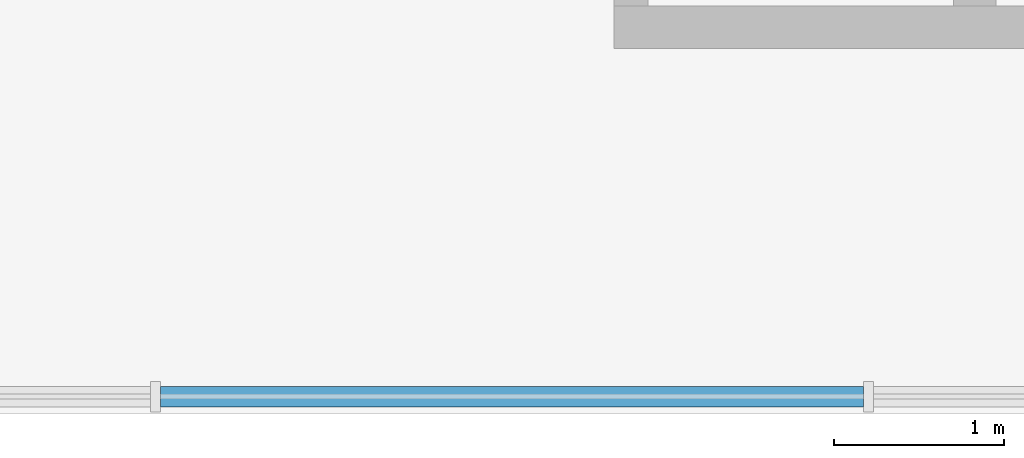
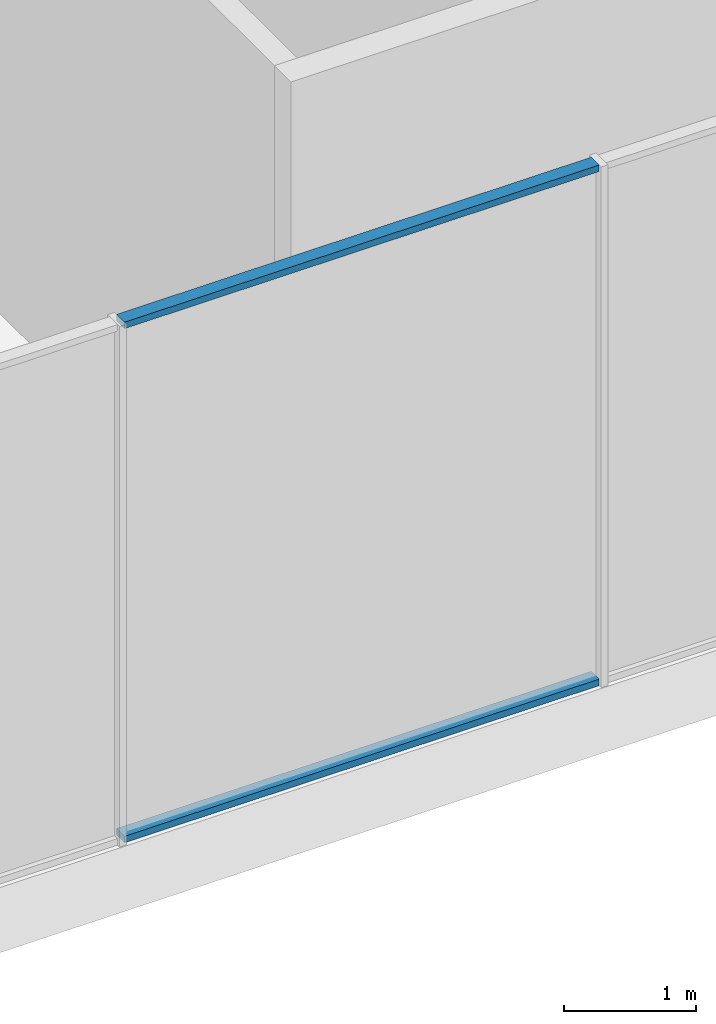
# One storey, part 3 of 24: 2 members, 1 element without a shape of its own.
"""IFC4 building model written with IfcOpenShell, lengths in metres."""

from ifc_helpers import new_model, si_unit, direction, frame, origin, origin_2d, place, context, subcontext, project, spatial, rectangle, extrude, source, transform, mapped, material, layer, layer_set, material_profile, profile_set, type_object, element, aggregate, save


model = new_model("IFC4")

# Units and contexts
model_context = context("Model", 3, precision=1e-05, world=origin(), true_north=direction((0.0, 1.0)))
body_context = subcontext(model_context, "Body", "Model", "MODEL_VIEW")
ifc_project = project(units=[si_unit("LENGTHUNIT", "METRE"), si_unit("AREAUNIT", "SQUARE_METRE"), si_unit("VOLUMEUNIT", "CUBIC_METRE"), si_unit("PLANEANGLEUNIT", "RADIAN"), si_unit("MASSUNIT", "GRAM", prefix="KILO")], contexts=[model_context])

# Site, building, storey
site_placement = place(None, origin())
site = spatial("IfcSite", under=ifc_project, at=site_placement, CompositionType="ELEMENT")
building_placement = place(site_placement, origin())
building = spatial("IfcBuilding", under=site, at=building_placement, Name="Aurelian Terraces", CompositionType="ELEMENT")
storey_placement = place(building_placement, frame((0.0, 0.0, 12.9)))
storey = spatial("IfcBuildingStorey", under=building, at=storey_placement, Name="L02", CompositionType="ELEMENT", Elevation=12.9)

# Curtain wall, members
ifc_material_1 = material(Name="Anodised aluminium and clear glazing", Category="aluminium")
ifc_layer = layer(ifc_material_1, 0.2)
ifc_layer_set = layer_set([ifc_layer], Name="Winter garden glazing curtain wall")
curtain_wall_type = type_object("IfcCurtainWallType", Name="Winter garden glazing curtain wall", PredefinedType="NOTDEFINED", material=ifc_layer_set)
curtain_wall_placement = place(storey_placement, origin())
curtain_wall = element("IfcCurtainWall", 1, at=curtain_wall_placement, inside=storey, type_object=curtain_wall_type, Name="Winter garden glazing L02 F01.1", PredefinedType="NOTDEFINED")
ifc_material_2 = material(Name="Anodised aluminium", Category="aluminium")
ifc_material_profile = material_profile(ifc_material_2, rectangle(XDim=0.12, YDim=0.06, at=origin_2d()))
ifc_profile_set = profile_set([ifc_material_profile], Name="Anodised aluminium")
member_type = type_object("IfcMemberType", Name="Winter garden glazing transom", PredefinedType="USERDEFINED", material=ifc_profile_set)
shared_shape = source(origin(), body_context, "Body", "SweptSolid", [
    extrude(rectangle(XDim=0.12, YDim=0.06, at=origin_2d()), origin(), (0.0, 0.0, 1.0), 4.14),
])
member_1_placement = place(storey_placement, frame((27.33, -2.0, 0.03), z_axis=(1.0, 0.0, 0.0), x_axis=(0.0, 1.0, 0.0)))
member_1 = element("IfcMember", 2, at=member_1_placement, type_object=member_type, Name="CW6 transom 8.1", ObjectType="TRANSOM", PredefinedType="USERDEFINED", context=body_context, shape_type="MappedRepresentation", body=[
    mapped(shared_shape, transform((0.0, 0.0, 0.0), scale=1.0)),
])
member_2_placement = place(storey_placement, frame((27.33, -2.0, 4.77), z_axis=(1.0, 0.0, 0.0), x_axis=(0.0, 1.0, 0.0)))
member_2 = element("IfcMember", 3, at=member_2_placement, type_object=member_type, Name="CW6 transom 8.2", ObjectType="TRANSOM", PredefinedType="USERDEFINED", context=body_context, shape_type="MappedRepresentation", body=[
    mapped(shared_shape, transform((0.0, 0.0, 0.0), scale=1.0)),
])
aggregate(curtain_wall, [member_1, member_2])

save(model, "model.ifc")
